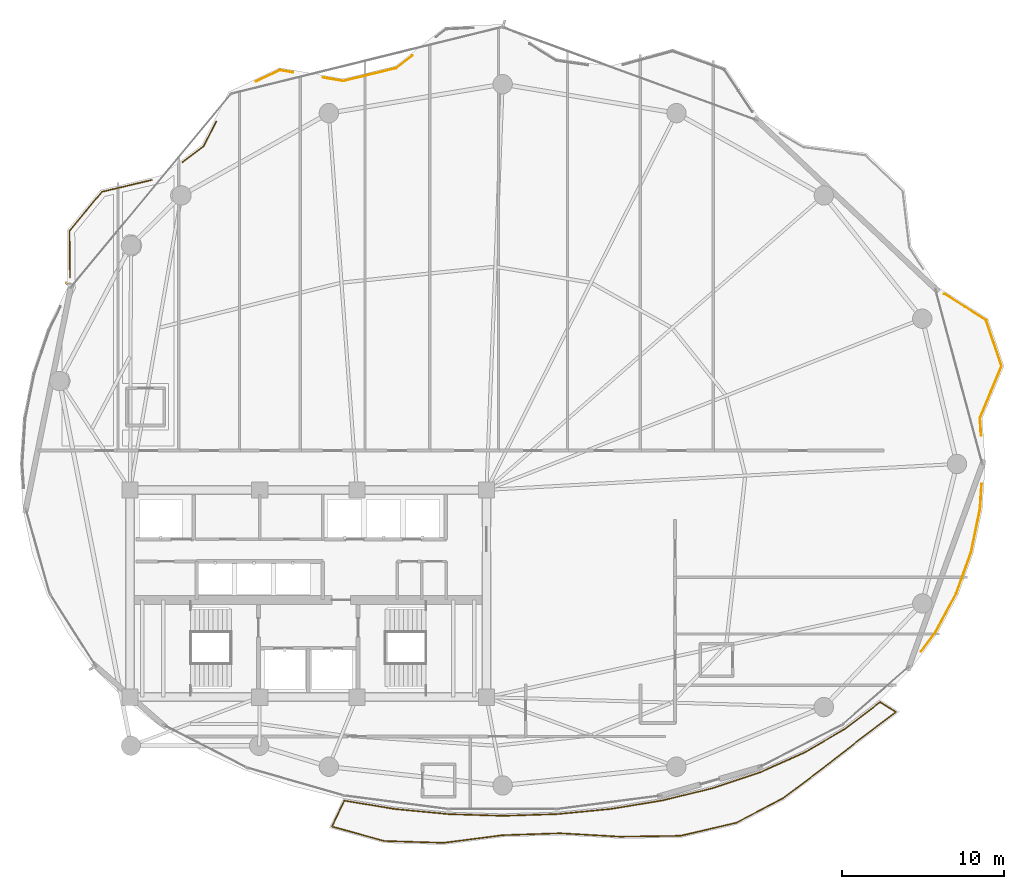
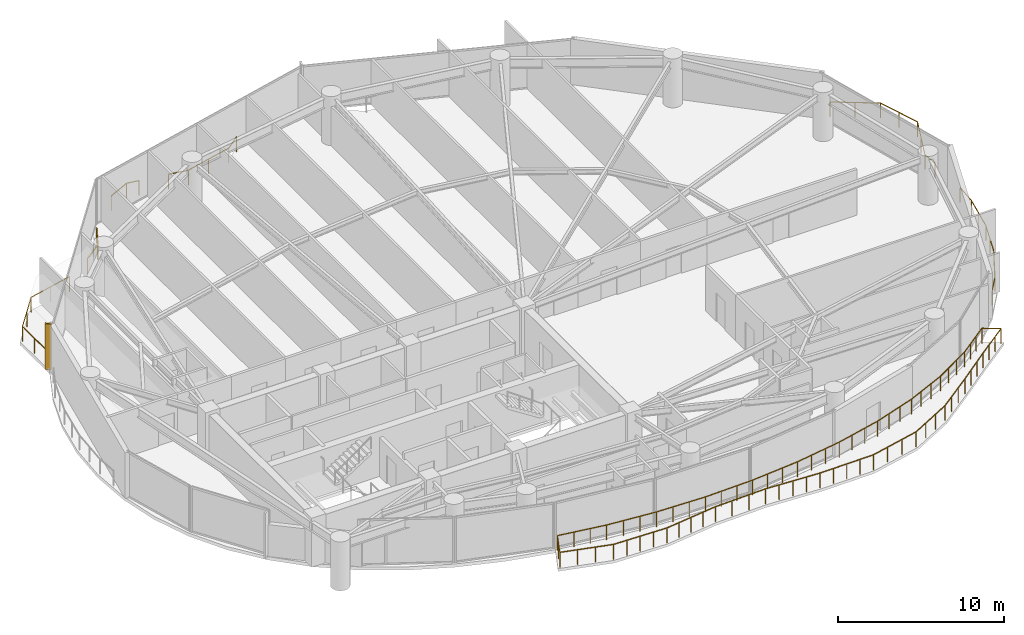
# One storey, part 27 of 28: 7 railings, 1 shading device.
"""IFC4 building model written with IfcOpenShell, lengths in metres."""

from ifc_helpers import new_model, si_unit, direction, frame, origin, origin_2d, place, context, subcontext, project, spatial, rectangle, extrude, material, type_object, element, save


model = new_model("IFC4")

# Units and contexts
model_context = context("Model", 3, precision=1e-05, world=origin(), true_north=direction((0.0, 1.0)))
body_context = subcontext(model_context, "Body", "Model", "MODEL_VIEW")
ifc_project = project(units=[si_unit("LENGTHUNIT", "METRE"), si_unit("AREAUNIT", "SQUARE_METRE"), si_unit("VOLUMEUNIT", "CUBIC_METRE"), si_unit("PLANEANGLEUNIT", "RADIAN"), si_unit("MASSUNIT", "GRAM", prefix="KILO")], contexts=[model_context])

# Site, building, storey
site_placement = place(None, origin())
site = spatial("IfcSite", under=ifc_project, at=site_placement, CompositionType="ELEMENT")
building_placement = place(site_placement, origin())
building = spatial("IfcBuilding", under=site, at=building_placement, Name="Kazevale Care Tower and Concert Hall", CompositionType="ELEMENT")
storey_placement = place(building_placement, frame((0.0, 0.0, 120.60009765625)))
storey = spatial("IfcBuildingStorey", under=building, at=storey_placement, Name="L31", CompositionType="ELEMENT", Elevation=120.60009765625)

# Railings
ifc_material_1 = material(Name="Anodised Bronze Aluminium and Laminated Glass", Category="aluminium")
railing_type = type_object("IfcRailingType", Name="Balcony and Terrace Balustrade 1120", PredefinedType="BALUSTRADE", material=ifc_material_1)
railing_1_placement = place(storey_placement, frame((18.284912109375, 49.514892578125, 0.0)))
element("IfcRailing", 1, at=railing_1_placement, inside=storey, type_object=railing_type, Name="rail:L31:perim:2", PredefinedType="BALUSTRADE", context=body_context, shape_type="SweptSolid", body=[
    extrude(rectangle(XDim=0.048095703125, YDim=0.048095703125, at=origin_2d()), frame((0.0, 0.0, 1.09619140625), z_axis=(-0.009663022595, 0.999953311907, 0.0), x_axis=(-0.999953311907, -0.009663022595, 0.0)), (0.0, 0.0, 1.0), 2.88037109375),
    extrude(rectangle(XDim=0.048095703125, YDim=0.048095703125, at=origin_2d()), frame((-0.02783203125, 2.880126953125, 1.09619140625), z_axis=(0.638670809668, 0.769480082184, 0.0), x_axis=(-0.769480082184, 0.638670809668, 0.0)), (0.0, 0.0, 1.0), 3.128173828125),
    extrude(rectangle(XDim=0.048095703125, YDim=0.048095703125, at=origin_2d()), frame((1.969970703125, 5.287109375, 1.09619140625), z_axis=(0.972887880692, 0.231277261318, 0.0), x_axis=(-0.231277261318, 0.972887880692, 0.0)), (0.0, 0.0, 1.0), 3.173095703125),
    extrude(rectangle(XDim=0.0419921875, YDim=0.0419921875, at=origin_2d()), origin(), (0.0, 0.0, 1.0), 1.072021484375),
    extrude(rectangle(XDim=0.0419921875, YDim=0.0419921875, at=origin_2d()), frame((-0.013916015625, 1.43994140625, 0.0)), (0.0, 0.0, 1.0), 1.072021484375),
    extrude(rectangle(XDim=0.0419921875, YDim=0.0419921875, at=origin_2d()), frame((-0.02783203125, 2.880126953125, 0.0)), (0.0, 0.0, 1.0), 1.072021484375),
    extrude(rectangle(XDim=0.0419921875, YDim=0.0419921875, at=origin_2d()), frame((0.97119140625, 4.08349609375, 0.0)), (0.0, 0.0, 1.0), 1.072021484375),
    extrude(rectangle(XDim=0.0419921875, YDim=0.0419921875, at=origin_2d()), frame((1.969970703125, 5.287109375, 0.0)), (0.0, 0.0, 1.0), 1.072021484375),
    extrude(rectangle(XDim=0.0419921875, YDim=0.0419921875, at=origin_2d()), frame((3.513671875, 5.654052734375, 0.0)), (0.0, 0.0, 1.0), 1.072021484375),
    extrude(rectangle(XDim=0.0419921875, YDim=0.0419921875, at=origin_2d()), frame((5.05712890625, 6.02099609375, 0.0)), (0.0, 0.0, 1.0), 1.072021484375),
])
railing_2_placement = place(storey_placement, frame((25.239013671875, 56.634033203125, 0.0)))
element("IfcRailing", 2, at=railing_2_placement, inside=storey, type_object=railing_type, Name="rail:L31:perim:3", PredefinedType="BALUSTRADE", context=body_context, shape_type="SweptSolid", body=[
    extrude(rectangle(XDim=0.048095703125, YDim=0.048095703125, at=origin_2d()), frame((0.0, 0.0, 1.09619140625), z_axis=(0.797677030582, 0.603084865406, 0.0), x_axis=(-0.603084865406, 0.797677030582, 0.0)), (0.0, 0.0, 1.0), 1.618408203125),
    extrude(rectangle(XDim=0.048095703125, YDim=0.048095703125, at=origin_2d()), frame((1.291015625, 0.97607421875, 1.09619140625), z_axis=(0.456653164706, 0.889644809553, 0.0), x_axis=(-0.889644809553, 0.456653164706, 0.0)), (0.0, 0.0, 1.0), 1.72314453125),
    extrude(rectangle(XDim=0.0419921875, YDim=0.0419921875, at=origin_2d()), origin(), (0.0, 0.0, 1.0), 1.072021484375),
    extrude(rectangle(XDim=0.0419921875, YDim=0.0419921875, at=origin_2d()), frame((1.291015625, 0.97607421875, 0.0)), (0.0, 0.0, 1.0), 1.072021484375),
    extrude(rectangle(XDim=0.0419921875, YDim=0.0419921875, at=origin_2d()), frame((2.077880859375, 2.509033203125, 0.0)), (0.0, 0.0, 1.0), 1.072021484375),
])
railing_3_placement = place(storey_placement, frame((29.77392578125, 61.62109375, 0.0)))
element("IfcRailing", 3, at=railing_3_placement, inside=storey, type_object=railing_type, Name="rail:L31:perim:4", PredefinedType="BALUSTRADE", context=body_context, shape_type="SweptSolid", body=[
    extrude(rectangle(XDim=0.048095703125, YDim=0.048095703125, at=origin_2d()), frame((0.0, 0.0, 1.09619140625), z_axis=(0.904089143641, 0.427343913436, 0.0), x_axis=(-0.427343913436, 0.904089143641, 0.0)), (0.0, 0.0, 1.0), 1.6259765625),
    extrude(rectangle(XDim=0.048095703125, YDim=0.048095703125, at=origin_2d()), frame((1.469970703125, 0.69482421875, 1.09619140625), z_axis=(0.985522864431, -0.169542571894, 0.0), x_axis=(0.169542571894, 0.985522864431, 0.0)), (0.0, 0.0, 1.0), 0.807861328125),
    extrude(rectangle(XDim=0.0419921875, YDim=0.0419921875, at=origin_2d()), origin(), (0.0, 0.0, 1.0), 1.072021484375),
    extrude(rectangle(XDim=0.0419921875, YDim=0.0419921875, at=origin_2d()), frame((1.469970703125, 0.69482421875, 0.0)), (0.0, 0.0, 1.0), 1.072021484375),
    extrude(rectangle(XDim=0.0419921875, YDim=0.0419921875, at=origin_2d()), frame((2.26611328125, 0.557861328125, 0.0)), (0.0, 0.0, 1.0), 1.072021484375),
])
railing_4_placement = place(storey_placement, frame((33.9130859375, 61.85791015625, 0.0)))
element("IfcRailing", 4, at=railing_4_placement, inside=storey, type_object=railing_type, Name="rail:L31:perim:5", PredefinedType="BALUSTRADE", context=body_context, shape_type="SweptSolid", body=[
    extrude(rectangle(XDim=0.048095703125, YDim=0.048095703125, at=origin_2d()), frame((0.0, 0.0, 1.09619140625), z_axis=(0.98554889076, -0.169391215599, 0.0), x_axis=(0.169391215599, 0.98554889076, 0.0)), (0.0, 0.0, 1.0), 1.268310546875),
    extrude(rectangle(XDim=0.048095703125, YDim=0.048095703125, at=origin_2d()), frame((1.25, -0.21484375, 1.09619140625), z_axis=(0.971597725557, 0.236638669056, 0.0), x_axis=(-0.236638669056, 0.971597725557, 0.0)), (0.0, 0.0, 1.0), 3.36328125),
    extrude(rectangle(XDim=0.048095703125, YDim=0.048095703125, at=origin_2d()), frame((4.517822265625, 0.5810546875, 1.09619140625), z_axis=(0.787242218243, 0.616643892224, 0.0), x_axis=(-0.616643892224, 0.787242218243, 0.0)), (0.0, 0.0, 1.0), 1.255126953125),
    extrude(rectangle(XDim=0.0419921875, YDim=0.0419921875, at=origin_2d()), origin(), (0.0, 0.0, 1.0), 1.072021484375),
    extrude(rectangle(XDim=0.0419921875, YDim=0.0419921875, at=origin_2d()), frame((1.25, -0.21484375, 0.0)), (0.0, 0.0, 1.0), 1.072021484375),
    extrude(rectangle(XDim=0.0419921875, YDim=0.0419921875, at=origin_2d()), frame((2.8837890625, 0.18310546875, 0.0)), (0.0, 0.0, 1.0), 1.072021484375),
    extrude(rectangle(XDim=0.0419921875, YDim=0.0419921875, at=origin_2d()), frame((4.517822265625, 0.5810546875, 0.0)), (0.0, 0.0, 1.0), 1.072021484375),
    extrude(rectangle(XDim=0.0419921875, YDim=0.0419921875, at=origin_2d()), frame((5.505859375, 1.35498046875, 0.0)), (0.0, 0.0, 1.0), 1.072021484375),
])
railing_5_placement = place(storey_placement, frame((74.576904296875, 36.76611328125, 0.0)))
element("IfcRailing", 5, at=railing_5_placement, inside=storey, type_object=railing_type, Name="rail:L31:perim:10", PredefinedType="BALUSTRADE", context=body_context, shape_type="SweptSolid", body=[
    extrude(rectangle(XDim=0.048095703125, YDim=0.048095703125, at=origin_2d()), frame((0.0, 0.0, 1.09619140625), z_axis=(-0.066164353261, -0.997808738365, 0.0), x_axis=(0.997808738365, -0.066164353261, 0.0)), (0.0, 0.0, 1.0), 1.553466796875),
    extrude(rectangle(XDim=0.048095703125, YDim=0.048095703125, at=origin_2d()), frame((-0.102783203125, -1.550048828125, 1.09619140625), z_axis=(-0.202611486218, -0.979259202485, 0.0), x_axis=(0.979259202485, -0.202611486218, 0.0)), (0.0, 0.0, 1.0), 2.744873046875),
    extrude(rectangle(XDim=0.048095703125, YDim=0.048095703125, at=origin_2d()), frame((-0.658935546875, -4.238037109375, 1.09619140625), z_axis=(-0.339653342944, -0.940550693279, 0.0), x_axis=(0.940550693279, -0.339653342944, 0.0)), (0.0, 0.0, 1.0), 2.70263671875),
    extrude(rectangle(XDim=0.048095703125, YDim=0.048095703125, at=origin_2d()), frame((-1.576904296875, -6.780029296875, 1.09619140625), z_axis=(-0.473735648305, -0.880667096879, 0.0), x_axis=(0.880667096879, -0.473735648305, 0.0)), (0.0, 0.0, 1.0), 2.6787109375),
    extrude(rectangle(XDim=0.048095703125, YDim=0.048095703125, at=origin_2d()), frame((-2.845947265625, -9.13916015625, 1.09619140625), z_axis=(-0.597990687273, -0.801503049236, 0.0), x_axis=(0.801503049236, -0.597990687273, 0.0)), (0.0, 0.0, 1.0), 1.498291015625),
    extrude(rectangle(XDim=0.0419921875, YDim=0.0419921875, at=origin_2d()), origin(), (0.0, 0.0, 1.0), 1.072021484375),
    extrude(rectangle(XDim=0.0419921875, YDim=0.0419921875, at=origin_2d()), frame((-0.102783203125, -1.550048828125, 0.0)), (0.0, 0.0, 1.0), 1.072021484375),
    extrude(rectangle(XDim=0.0419921875, YDim=0.0419921875, at=origin_2d()), frame((-0.380859375, -2.89404296875, 0.0)), (0.0, 0.0, 1.0), 1.072021484375),
    extrude(rectangle(XDim=0.0419921875, YDim=0.0419921875, at=origin_2d()), frame((-0.658935546875, -4.238037109375, 0.0)), (0.0, 0.0, 1.0), 1.072021484375),
    extrude(rectangle(XDim=0.0419921875, YDim=0.0419921875, at=origin_2d()), frame((-1.117919921875, -5.509033203125, 0.0)), (0.0, 0.0, 1.0), 1.072021484375),
    extrude(rectangle(XDim=0.0419921875, YDim=0.0419921875, at=origin_2d()), frame((-1.576904296875, -6.780029296875, 0.0)), (0.0, 0.0, 1.0), 1.072021484375),
    extrude(rectangle(XDim=0.0419921875, YDim=0.0419921875, at=origin_2d()), frame((-2.21142578125, -7.95947265625, 0.0)), (0.0, 0.0, 1.0), 1.072021484375),
    extrude(rectangle(XDim=0.0419921875, YDim=0.0419921875, at=origin_2d()), frame((-2.845947265625, -9.13916015625, 0.0)), (0.0, 0.0, 1.0), 1.072021484375),
    extrude(rectangle(XDim=0.0419921875, YDim=0.0419921875, at=origin_2d()), frame((-3.741943359375, -10.340087890625, 0.0)), (0.0, 0.0, 1.0), 1.072021484375),
])
railing_6_placement = place(storey_placement, frame((72.26904296875, 48.50390625, 0.0)))
element("IfcRailing", 6, at=railing_6_placement, inside=storey, type_object=railing_type, Name="rail:L31:perim:11", PredefinedType="BALUSTRADE", context=body_context, shape_type="SweptSolid", body=[
    extrude(rectangle(XDim=0.048095703125, YDim=0.048095703125, at=origin_2d()), frame((0.0, 0.0, 1.09619140625), z_axis=(0.845853460202, -0.533415338985, 0.0), x_axis=(0.533415338985, 0.845853460202, 0.0)), (0.0, 0.0, 1.0), 3.0537109375),
    extrude(rectangle(XDim=0.048095703125, YDim=0.048095703125, at=origin_2d()), frame((2.5830078125, -1.62890625, 1.09619140625), z_axis=(0.319318641442, -0.94764740554, 0.0), x_axis=(0.94764740554, 0.319318641442, 0.0)), (0.0, 0.0, 1.0), 2.984130859375),
    extrude(rectangle(XDim=0.048095703125, YDim=0.048095703125, at=origin_2d()), frame((3.535888671875, -4.456787109375, 1.09619140625), z_axis=(-0.384555415187, -0.923101908052, 0.0), x_axis=(0.923101908052, -0.384555415187, 0.0)), (0.0, 0.0, 1.0), 3.468994140625),
    extrude(rectangle(XDim=0.048095703125, YDim=0.048095703125, at=origin_2d()), frame((2.201904296875, -7.658935546875, 1.09619140625), z_axis=(0.06569131841, -0.997839992527, 0.0), x_axis=(0.997839992527, 0.06569131841, 0.0)), (0.0, 0.0, 1.0), 1.096435546875),
    extrude(rectangle(XDim=0.0419921875, YDim=0.0419921875, at=origin_2d()), origin(), (0.0, 0.0, 1.0), 1.072021484375),
    extrude(rectangle(XDim=0.0419921875, YDim=0.0419921875, at=origin_2d()), frame((1.29150390625, -0.814453125, 0.0)), (0.0, 0.0, 1.0), 1.072021484375),
    extrude(rectangle(XDim=0.0419921875, YDim=0.0419921875, at=origin_2d()), frame((2.5830078125, -1.62890625, 0.0)), (0.0, 0.0, 1.0), 1.072021484375),
    extrude(rectangle(XDim=0.0419921875, YDim=0.0419921875, at=origin_2d()), frame((3.0595703125, -3.04296875, 0.0)), (0.0, 0.0, 1.0), 1.072021484375),
    extrude(rectangle(XDim=0.0419921875, YDim=0.0419921875, at=origin_2d()), frame((3.535888671875, -4.456787109375, 0.0)), (0.0, 0.0, 1.0), 1.072021484375),
    extrude(rectangle(XDim=0.0419921875, YDim=0.0419921875, at=origin_2d()), frame((2.868896484375, -6.057861328125, 0.0)), (0.0, 0.0, 1.0), 1.072021484375),
    extrude(rectangle(XDim=0.0419921875, YDim=0.0419921875, at=origin_2d()), frame((2.201904296875, -7.658935546875, 0.0)), (0.0, 0.0, 1.0), 1.072021484375),
    extrude(rectangle(XDim=0.0419921875, YDim=0.0419921875, at=origin_2d()), frame((2.27392578125, -8.7529296875, 0.0)), (0.0, 0.0, 1.0), 1.072021484375),
])
railing_7_placement = place(storey_placement, frame((35.22509765625, 17.2099609375, 0.0)))
element("IfcRailing", 7, at=railing_7_placement, inside=storey, type_object=railing_type, Name="rail:L31:balcony", PredefinedType="BALUSTRADE", context=body_context, shape_type="SweptSolid", body=[
    extrude(rectangle(XDim=0.048095703125, YDim=0.048095703125, at=origin_2d()), frame((0.0, 0.0, 1.09619140625), z_axis=(0.986720826515, -0.162425399869, 0.0), x_axis=(0.162425399869, 0.986720826515, 0.0)), (0.0, 0.0, 1.0), 3.169921875),
    extrude(rectangle(XDim=0.048095703125, YDim=0.048095703125, at=origin_2d()), frame((3.1279296875, -0.514892578125, 1.09619140625), z_axis=(0.995477928413, -0.09499312629, 0.0), x_axis=(0.09499312629, 0.995477928413, 0.0)), (0.0, 0.0, 1.0), 3.31787109375),
    extrude(rectangle(XDim=0.048095703125, YDim=0.048095703125, at=origin_2d()), frame((6.430908203125, -0.830078125, 1.09619140625), z_axis=(0.999507580629, -0.031378276971, 0.0), x_axis=(0.031378276971, 0.999507580629, 0.0)), (0.0, 0.0, 1.0), 3.345703125),
    extrude(rectangle(XDim=0.048095703125, YDim=0.048095703125, at=origin_2d()), frame((9.77490234375, -0.93505859375, 1.09619140625), z_axis=(0.999507580629, 0.031378276971, 0.0), x_axis=(-0.031378276971, 0.999507580629, 0.0)), (0.0, 0.0, 1.0), 3.345703125),
    extrude(rectangle(XDim=0.048095703125, YDim=0.048095703125, at=origin_2d()), frame((13.118896484375, -0.830078125, 1.09619140625), z_axis=(0.995477928413, 0.09499312629, 0.0), x_axis=(-0.09499312629, 0.995477928413, 0.0)), (0.0, 0.0, 1.0), 3.31787109375),
    extrude(rectangle(XDim=0.048095703125, YDim=0.048095703125, at=origin_2d()), frame((16.421875, -0.514892578125, 1.09619140625), z_axis=(0.986673526711, 0.162712481659, 0.0), x_axis=(-0.162712481659, 0.986673526711, 0.0)), (0.0, 0.0, 1.0), 3.263427734375),
    extrude(rectangle(XDim=0.048095703125, YDim=0.048095703125, at=origin_2d()), frame((19.641845703125, 0.01611328125, 1.09619140625), z_axis=(0.971769261323, 0.235933259095, 0.0), x_axis=(-0.235933259095, 0.971769261323, 0.0)), (0.0, 0.0, 1.0), 3.187255859375),
    extrude(rectangle(XDim=0.048095703125, YDim=0.048095703125, at=origin_2d()), frame((22.739013671875, 0.76806640625, 1.09619140625), z_axis=(0.948264523365, 0.317481328155, 0.0), x_axis=(-0.317481328155, 0.948264523365, 0.0)), (0.0, 0.0, 1.0), 3.095947265625),
    extrude(rectangle(XDim=0.048095703125, YDim=0.048095703125, at=origin_2d()), frame((25.6748046875, 1.7509765625, 1.09619140625), z_axis=(0.913377633239, 0.407113373766, 0.0), x_axis=(-0.407113373766, 0.913377633239, 0.0)), (0.0, 0.0, 1.0), 2.99658203125),
    extrude(rectangle(XDim=0.048095703125, YDim=0.048095703125, at=origin_2d()), frame((28.411865234375, 2.970947265625, 1.09619140625), z_axis=(0.863507127078, 0.504336635082, 0.0), x_axis=(-0.504336635082, 0.863507127078, 0.0)), (0.0, 0.0, 1.0), 2.901123046875),
    extrude(rectangle(XDim=0.048095703125, YDim=0.048095703125, at=origin_2d()), frame((30.9169921875, 4.43408203125, 1.09619140625), z_axis=(0.795030778338, 0.606569090455, 0.0), x_axis=(-0.606569090455, 0.795030778338, 0.0)), (0.0, 0.0, 1.0), 2.726806640625),
    extrude(rectangle(XDim=0.048095703125, YDim=0.048095703125, at=origin_2d()), frame((33.0849609375, 6.088134765625, 1.09619140625), z_axis=(0.848022017286, -0.529960996865, 0.0), x_axis=(0.529960996865, 0.848022017286, 0.0)), (0.0, 0.0, 1.0), 1.15673828125),
    extrude(rectangle(XDim=0.048095703125, YDim=0.048095703125, at=origin_2d()), frame((34.06591796875, 5.47509765625, 1.09619140625), z_axis=(-0.798255366779, -0.602319159091, 0.0), x_axis=(0.602319159091, -0.798255366779, 0.0)), (0.0, 0.0, 1.0), 2.776123046875),
    extrude(rectangle(XDim=0.048095703125, YDim=0.048095703125, at=origin_2d()), frame((31.849853515625, 3.802978515625, 1.09619140625), z_axis=(-0.787312551065, -0.616554090843, 0.0), x_axis=(0.616554090843, -0.787312551065, 0.0)), (0.0, 0.0, 1.0), 2.9453125),
    extrude(rectangle(XDim=0.048095703125, YDim=0.048095703125, at=origin_2d()), frame((29.531005859375, 1.987060546875, 1.09619140625), z_axis=(-0.799587512575, -0.600549589738, 0.0), x_axis=(0.600549589738, -0.799587512575, 0.0)), (0.0, 0.0, 1.0), 3.055419921875),
    extrude(rectangle(XDim=0.048095703125, YDim=0.048095703125, at=origin_2d()), frame((27.087890625, 0.152099609375, 1.09619140625), z_axis=(-0.885469496448, -0.464697504685, 0.0), x_axis=(0.464697504685, -0.885469496448, 0.0)), (0.0, 0.0, 1.0), 3.2626953125),
    extrude(rectangle(XDim=0.048095703125, YDim=0.048095703125, at=origin_2d()), frame((24.198974609375, -1.364013671875, 1.09619140625), z_axis=(-0.973763163126, -0.227563841897, 0.0), x_axis=(0.227563841897, -0.973763163126, 0.0)), (0.0, 0.0, 1.0), 3.532958984375),
    extrude(rectangle(XDim=0.048095703125, YDim=0.048095703125, at=origin_2d()), frame((20.7587890625, -2.16796875, 1.09619140625), z_axis=(-0.999895953869, -0.014425028122, 0.0), x_axis=(0.014425028122, -0.999895953869, 0.0)), (0.0, 0.0, 1.0), 3.740478515625),
    extrude(rectangle(XDim=0.048095703125, YDim=0.048095703125, at=origin_2d()), frame((17.018798828125, -2.221923828125, 1.09619140625), z_axis=(-0.998380578852, 0.056887782271, 0.0), x_axis=(-0.056887782271, -0.998380578852, 0.0)), (0.0, 0.0, 1.0), 3.690673828125),
    extrude(rectangle(XDim=0.048095703125, YDim=0.048095703125, at=origin_2d()), frame((13.333984375, -2.011962890625, 1.09619140625), z_axis=(-0.999454652209, -0.033021177715, 0.0), x_axis=(0.033021177715, -0.999454652209, 0.0)), (0.0, 0.0, 1.0), 3.571044921875),
    extrude(rectangle(XDim=0.048095703125, YDim=0.048095703125, at=origin_2d()), frame((9.764892578125, -2.1298828125, 1.09619140625), z_axis=(-0.991714107264, -0.128464506594, 0.0), x_axis=(0.128464506594, -0.991714107264, 0.0)), (0.0, 0.0, 1.0), 3.675537109375),
    extrude(rectangle(XDim=0.048095703125, YDim=0.048095703125, at=origin_2d()), frame((6.119873046875, -2.60205078125, 1.09619140625), z_axis=(-0.99952128946, 0.030938518319, 0.0), x_axis=(-0.030938518319, -0.99952128946, 0.0)), (0.0, 0.0, 1.0), 3.653564453125),
    extrude(rectangle(XDim=0.048095703125, YDim=0.048095703125, at=origin_2d()), frame((2.468017578125, -2.489013671875, 1.09619140625), z_axis=(-0.963890759305, 0.266297961175, 0.0), x_axis=(-0.266297961175, -0.963890759305, 0.0)), (0.0, 0.0, 1.0), 3.349853515625),
    extrude(rectangle(XDim=0.048095703125, YDim=0.048095703125, at=origin_2d()), frame((-0.760986328125, -1.596923828125, 1.09619140625), z_axis=(0.430185353805, 0.902740583651, 0.0), x_axis=(-0.902740583651, 0.430185353805, 0.0)), (0.0, 0.0, 1.0), 1.76904296875),
    extrude(rectangle(XDim=0.0419921875, YDim=0.0419921875, at=origin_2d()), origin(), (0.0, 0.0, 1.0), 1.072021484375),
    extrude(rectangle(XDim=0.0419921875, YDim=0.0419921875, at=origin_2d()), frame((1.042724609375, -0.171630859375, 0.0)), (0.0, 0.0, 1.0), 1.072021484375),
    extrude(rectangle(XDim=0.0419921875, YDim=0.0419921875, at=origin_2d()), frame((2.085205078125, -0.34326171875, 0.0)), (0.0, 0.0, 1.0), 1.072021484375),
    extrude(rectangle(XDim=0.0419921875, YDim=0.0419921875, at=origin_2d()), frame((3.1279296875, -0.514892578125, 0.0)), (0.0, 0.0, 1.0), 1.072021484375),
    extrude(rectangle(XDim=0.0419921875, YDim=0.0419921875, at=origin_2d()), frame((4.22900390625, -0.619873046875, 0.0)), (0.0, 0.0, 1.0), 1.072021484375),
    extrude(rectangle(XDim=0.0419921875, YDim=0.0419921875, at=origin_2d()), frame((5.329833984375, -0.72509765625, 0.0)), (0.0, 0.0, 1.0), 1.072021484375),
    extrude(rectangle(XDim=0.0419921875, YDim=0.0419921875, at=origin_2d()), frame((6.430908203125, -0.830078125, 0.0)), (0.0, 0.0, 1.0), 1.072021484375),
    extrude(rectangle(XDim=0.0419921875, YDim=0.0419921875, at=origin_2d()), frame((7.545654296875, -0.864990234375, 0.0)), (0.0, 0.0, 1.0), 1.072021484375),
    extrude(rectangle(XDim=0.0419921875, YDim=0.0419921875, at=origin_2d()), frame((8.66015625, -0.900146484375, 0.0)), (0.0, 0.0, 1.0), 1.072021484375),
    extrude(rectangle(XDim=0.0419921875, YDim=0.0419921875, at=origin_2d()), frame((9.77490234375, -0.93505859375, 0.0)), (0.0, 0.0, 1.0), 1.072021484375),
    extrude(rectangle(XDim=0.0419921875, YDim=0.0419921875, at=origin_2d()), frame((10.8896484375, -0.900146484375, 0.0)), (0.0, 0.0, 1.0), 1.072021484375),
    extrude(rectangle(XDim=0.0419921875, YDim=0.0419921875, at=origin_2d()), frame((12.004150390625, -0.864990234375, 0.0)), (0.0, 0.0, 1.0), 1.072021484375),
    extrude(rectangle(XDim=0.0419921875, YDim=0.0419921875, at=origin_2d()), frame((13.118896484375, -0.830078125, 0.0)), (0.0, 0.0, 1.0), 1.072021484375),
    extrude(rectangle(XDim=0.0419921875, YDim=0.0419921875, at=origin_2d()), frame((14.219970703125, -0.72509765625, 0.0)), (0.0, 0.0, 1.0), 1.072021484375),
    extrude(rectangle(XDim=0.0419921875, YDim=0.0419921875, at=origin_2d()), frame((15.32080078125, -0.619873046875, 0.0)), (0.0, 0.0, 1.0), 1.072021484375),
    extrude(rectangle(XDim=0.0419921875, YDim=0.0419921875, at=origin_2d()), frame((16.421875, -0.514892578125, 0.0)), (0.0, 0.0, 1.0), 1.072021484375),
    extrude(rectangle(XDim=0.0419921875, YDim=0.0419921875, at=origin_2d()), frame((17.4951171875, -0.337890625, 0.0)), (0.0, 0.0, 1.0), 1.072021484375),
    extrude(rectangle(XDim=0.0419921875, YDim=0.0419921875, at=origin_2d()), frame((18.568603515625, -0.160888671875, 0.0)), (0.0, 0.0, 1.0), 1.072021484375),
    extrude(rectangle(XDim=0.0419921875, YDim=0.0419921875, at=origin_2d()), frame((19.641845703125, 0.01611328125, 0.0)), (0.0, 0.0, 1.0), 1.072021484375),
    extrude(rectangle(XDim=0.0419921875, YDim=0.0419921875, at=origin_2d()), frame((20.67431640625, 0.266845703125, 0.0)), (0.0, 0.0, 1.0), 1.072021484375),
    extrude(rectangle(XDim=0.0419921875, YDim=0.0419921875, at=origin_2d()), frame((21.70654296875, 0.517333984375, 0.0)), (0.0, 0.0, 1.0), 1.072021484375),
    extrude(rectangle(XDim=0.0419921875, YDim=0.0419921875, at=origin_2d()), frame((22.739013671875, 0.76806640625, 0.0)), (0.0, 0.0, 1.0), 1.072021484375),
    extrude(rectangle(XDim=0.0419921875, YDim=0.0419921875, at=origin_2d()), frame((23.717529296875, 1.095703125, 0.0)), (0.0, 0.0, 1.0), 1.072021484375),
    extrude(rectangle(XDim=0.0419921875, YDim=0.0419921875, at=origin_2d()), frame((24.6962890625, 1.42333984375, 0.0)), (0.0, 0.0, 1.0), 1.072021484375),
    extrude(rectangle(XDim=0.0419921875, YDim=0.0419921875, at=origin_2d()), frame((25.6748046875, 1.7509765625, 0.0)), (0.0, 0.0, 1.0), 1.072021484375),
    extrude(rectangle(XDim=0.0419921875, YDim=0.0419921875, at=origin_2d()), frame((26.587158203125, 2.15771484375, 0.0)), (0.0, 0.0, 1.0), 1.072021484375),
    extrude(rectangle(XDim=0.0419921875, YDim=0.0419921875, at=origin_2d()), frame((27.49951171875, 2.564208984375, 0.0)), (0.0, 0.0, 1.0), 1.072021484375),
    extrude(rectangle(XDim=0.0419921875, YDim=0.0419921875, at=origin_2d()), frame((28.411865234375, 2.970947265625, 0.0)), (0.0, 0.0, 1.0), 1.072021484375),
    extrude(rectangle(XDim=0.0419921875, YDim=0.0419921875, at=origin_2d()), frame((29.246826171875, 3.458740234375, 0.0)), (0.0, 0.0, 1.0), 1.072021484375),
    extrude(rectangle(XDim=0.0419921875, YDim=0.0419921875, at=origin_2d()), frame((30.08203125, 3.9462890625, 0.0)), (0.0, 0.0, 1.0), 1.072021484375),
    extrude(rectangle(XDim=0.0419921875, YDim=0.0419921875, at=origin_2d()), frame((30.9169921875, 4.43408203125, 0.0)), (0.0, 0.0, 1.0), 1.072021484375),
    extrude(rectangle(XDim=0.0419921875, YDim=0.0419921875, at=origin_2d()), frame((31.6396484375, 4.9853515625, 0.0)), (0.0, 0.0, 1.0), 1.072021484375),
    extrude(rectangle(XDim=0.0419921875, YDim=0.0419921875, at=origin_2d()), frame((32.3623046875, 5.536865234375, 0.0)), (0.0, 0.0, 1.0), 1.072021484375),
    extrude(rectangle(XDim=0.0419921875, YDim=0.0419921875, at=origin_2d()), frame((33.0849609375, 6.088134765625, 0.0)), (0.0, 0.0, 1.0), 1.072021484375),
    extrude(rectangle(XDim=0.0419921875, YDim=0.0419921875, at=origin_2d()), frame((34.06591796875, 5.47509765625, 0.0)), (0.0, 0.0, 1.0), 1.072021484375),
    extrude(rectangle(XDim=0.0419921875, YDim=0.0419921875, at=origin_2d()), frame((33.3271484375, 4.917724609375, 0.0)), (0.0, 0.0, 1.0), 1.072021484375),
    extrude(rectangle(XDim=0.0419921875, YDim=0.0419921875, at=origin_2d()), frame((32.588623046875, 4.3603515625, 0.0)), (0.0, 0.0, 1.0), 1.072021484375),
    extrude(rectangle(XDim=0.0419921875, YDim=0.0419921875, at=origin_2d()), frame((31.849853515625, 3.802978515625, 0.0)), (0.0, 0.0, 1.0), 1.072021484375),
    extrude(rectangle(XDim=0.0419921875, YDim=0.0419921875, at=origin_2d()), frame((31.076904296875, 3.19775390625, 0.0)), (0.0, 0.0, 1.0), 1.072021484375),
    extrude(rectangle(XDim=0.0419921875, YDim=0.0419921875, at=origin_2d()), frame((30.303955078125, 2.59228515625, 0.0)), (0.0, 0.0, 1.0), 1.072021484375),
    extrude(rectangle(XDim=0.0419921875, YDim=0.0419921875, at=origin_2d()), frame((29.531005859375, 1.987060546875, 0.0)), (0.0, 0.0, 1.0), 1.072021484375),
    extrude(rectangle(XDim=0.0419921875, YDim=0.0419921875, at=origin_2d()), frame((28.716552734375, 1.37548828125, 0.0)), (0.0, 0.0, 1.0), 1.072021484375),
    extrude(rectangle(XDim=0.0419921875, YDim=0.0419921875, at=origin_2d()), frame((27.90234375, 0.763671875, 0.0)), (0.0, 0.0, 1.0), 1.072021484375),
    extrude(rectangle(XDim=0.0419921875, YDim=0.0419921875, at=origin_2d()), frame((27.087890625, 0.152099609375, 0.0)), (0.0, 0.0, 1.0), 1.072021484375),
    extrude(rectangle(XDim=0.0419921875, YDim=0.0419921875, at=origin_2d()), frame((26.125, -0.353271484375, 0.0)), (0.0, 0.0, 1.0), 1.072021484375),
    extrude(rectangle(XDim=0.0419921875, YDim=0.0419921875, at=origin_2d()), frame((25.161865234375, -0.858642578125, 0.0)), (0.0, 0.0, 1.0), 1.072021484375),
    extrude(rectangle(XDim=0.0419921875, YDim=0.0419921875, at=origin_2d()), frame((24.198974609375, -1.364013671875, 0.0)), (0.0, 0.0, 1.0), 1.072021484375),
    extrude(rectangle(XDim=0.0419921875, YDim=0.0419921875, at=origin_2d()), frame((23.05224609375, -1.632080078125, 0.0)), (0.0, 0.0, 1.0), 1.072021484375),
    extrude(rectangle(XDim=0.0419921875, YDim=0.0419921875, at=origin_2d()), frame((21.905517578125, -1.89990234375, 0.0)), (0.0, 0.0, 1.0), 1.072021484375),
    extrude(rectangle(XDim=0.0419921875, YDim=0.0419921875, at=origin_2d()), frame((20.7587890625, -2.16796875, 0.0)), (0.0, 0.0, 1.0), 1.072021484375),
    extrude(rectangle(XDim=0.0419921875, YDim=0.0419921875, at=origin_2d()), frame((19.82373046875, -2.181396484375, 0.0)), (0.0, 0.0, 1.0), 1.072021484375),
    extrude(rectangle(XDim=0.0419921875, YDim=0.0419921875, at=origin_2d()), frame((18.888671875, -2.19482421875, 0.0)), (0.0, 0.0, 1.0), 1.072021484375),
    extrude(rectangle(XDim=0.0419921875, YDim=0.0419921875, at=origin_2d()), frame((17.953857421875, -2.20849609375, 0.0)), (0.0, 0.0, 1.0), 1.072021484375),
    extrude(rectangle(XDim=0.0419921875, YDim=0.0419921875, at=origin_2d()), frame((17.018798828125, -2.221923828125, 0.0)), (0.0, 0.0, 1.0), 1.072021484375),
    extrude(rectangle(XDim=0.0419921875, YDim=0.0419921875, at=origin_2d()), frame((16.09765625, -2.16943359375, 0.0)), (0.0, 0.0, 1.0), 1.072021484375),
    extrude(rectangle(XDim=0.0419921875, YDim=0.0419921875, at=origin_2d()), frame((15.17626953125, -2.116943359375, 0.0)), (0.0, 0.0, 1.0), 1.072021484375),
    extrude(rectangle(XDim=0.0419921875, YDim=0.0419921875, at=origin_2d()), frame((14.255126953125, -2.064453125, 0.0)), (0.0, 0.0, 1.0), 1.072021484375),
    extrude(rectangle(XDim=0.0419921875, YDim=0.0419921875, at=origin_2d()), frame((13.333984375, -2.011962890625, 0.0)), (0.0, 0.0, 1.0), 1.072021484375),
    extrude(rectangle(XDim=0.0419921875, YDim=0.0419921875, at=origin_2d()), frame((12.144287109375, -2.05126953125, 0.0)), (0.0, 0.0, 1.0), 1.072021484375),
    extrude(rectangle(XDim=0.0419921875, YDim=0.0419921875, at=origin_2d()), frame((10.95458984375, -2.090576171875, 0.0)), (0.0, 0.0, 1.0), 1.072021484375),
    extrude(rectangle(XDim=0.0419921875, YDim=0.0419921875, at=origin_2d()), frame((9.764892578125, -2.1298828125, 0.0)), (0.0, 0.0, 1.0), 1.072021484375),
    extrude(rectangle(XDim=0.0419921875, YDim=0.0419921875, at=origin_2d()), frame((8.853515625, -2.248046875, 0.0)), (0.0, 0.0, 1.0), 1.072021484375),
    extrude(rectangle(XDim=0.0419921875, YDim=0.0419921875, at=origin_2d()), frame((7.9423828125, -2.365966796875, 0.0)), (0.0, 0.0, 1.0), 1.072021484375),
    extrude(rectangle(XDim=0.0419921875, YDim=0.0419921875, at=origin_2d()), frame((7.03125, -2.48388671875, 0.0)), (0.0, 0.0, 1.0), 1.072021484375),
    extrude(rectangle(XDim=0.0419921875, YDim=0.0419921875, at=origin_2d()), frame((6.119873046875, -2.60205078125, 0.0)), (0.0, 0.0, 1.0), 1.072021484375),
    extrude(rectangle(XDim=0.0419921875, YDim=0.0419921875, at=origin_2d()), frame((5.20703125, -2.57373046875, 0.0)), (0.0, 0.0, 1.0), 1.072021484375),
    extrude(rectangle(XDim=0.0419921875, YDim=0.0419921875, at=origin_2d()), frame((4.2939453125, -2.54541015625, 0.0)), (0.0, 0.0, 1.0), 1.072021484375),
    extrude(rectangle(XDim=0.0419921875, YDim=0.0419921875, at=origin_2d()), frame((3.380859375, -2.517333984375, 0.0)), (0.0, 0.0, 1.0), 1.072021484375),
    extrude(rectangle(XDim=0.0419921875, YDim=0.0419921875, at=origin_2d()), frame((2.468017578125, -2.489013671875, 0.0)), (0.0, 0.0, 1.0), 1.072021484375),
    extrude(rectangle(XDim=0.0419921875, YDim=0.0419921875, at=origin_2d()), frame((1.3916015625, -2.191650390625, 0.0)), (0.0, 0.0, 1.0), 1.072021484375),
    extrude(rectangle(XDim=0.0419921875, YDim=0.0419921875, at=origin_2d()), frame((0.3154296875, -1.894287109375, 0.0)), (0.0, 0.0, 1.0), 1.072021484375),
    extrude(rectangle(XDim=0.0419921875, YDim=0.0419921875, at=origin_2d()), frame((-0.760986328125, -1.596923828125, 0.0)), (0.0, 0.0, 1.0), 1.072021484375),
    extrude(rectangle(XDim=0.0419921875, YDim=0.0419921875, at=origin_2d()), frame((-0.38037109375, -0.79833984375, 0.0)), (0.0, 0.0, 1.0), 1.072021484375),
])

# Shading device
ifc_material_2 = material(Name="Honed Ochre Limestone", Category="masonry")
shading_device_type = type_object("IfcShadingDeviceType", Name="Vertical Honed Limestone Fin FIN-01", PredefinedType="USERDEFINED", material=ifc_material_2)
shading_device_placement = place(storey_placement, frame((18.14501953125, 49.099853515625, 0.0), z_axis=(0.0, 0.0, 1.0), x_axis=(-0.770068049148, 0.637961754089, 0.0)))
element("IfcShadingDevice", 8, at=shading_device_placement, inside=storey, type_object=shading_device_type, Name="cw:L31:f14:fin", ObjectType="FIN", PredefinedType="USERDEFINED", context=body_context, shape_type="SweptSolid", body=[
    extrude(rectangle(XDim=0.3798828125, YDim=0.1201171875, at=origin_2d()), origin(), (0.0, 0.0, 1.0), 3.360107421875),
])

save(model, "model.ifc")
